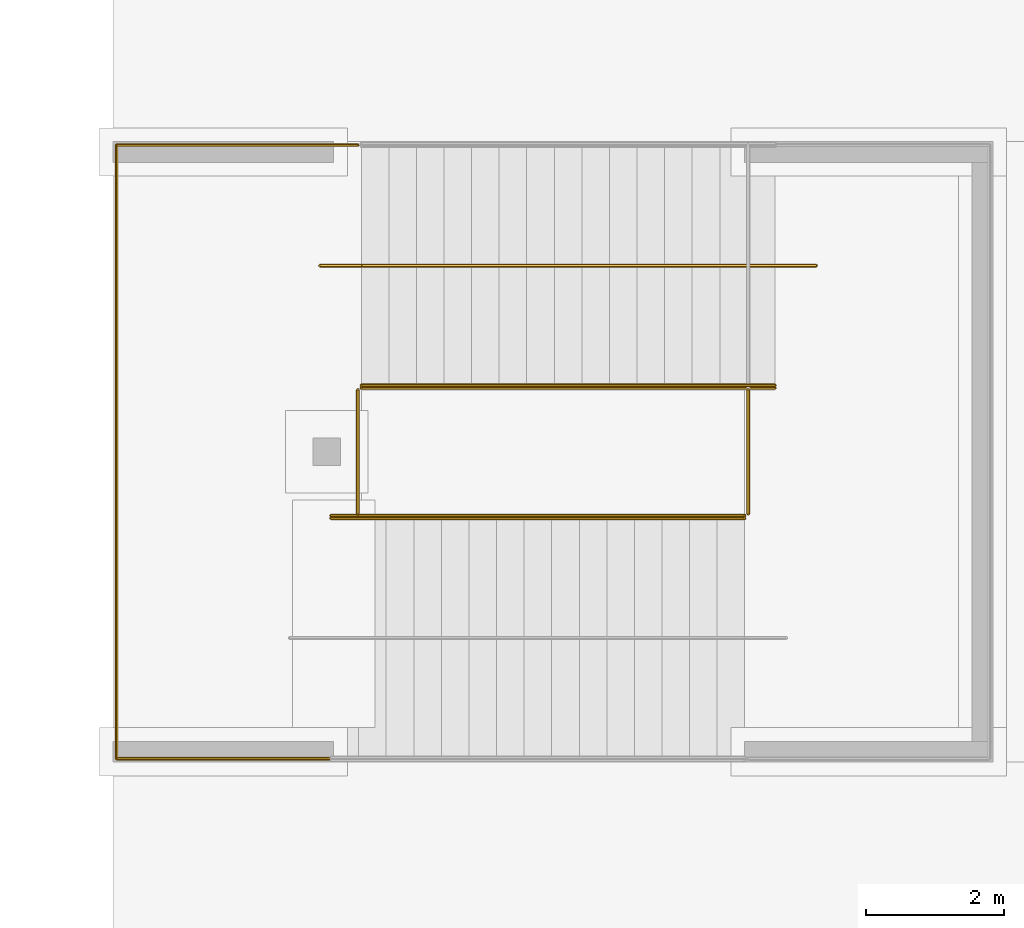
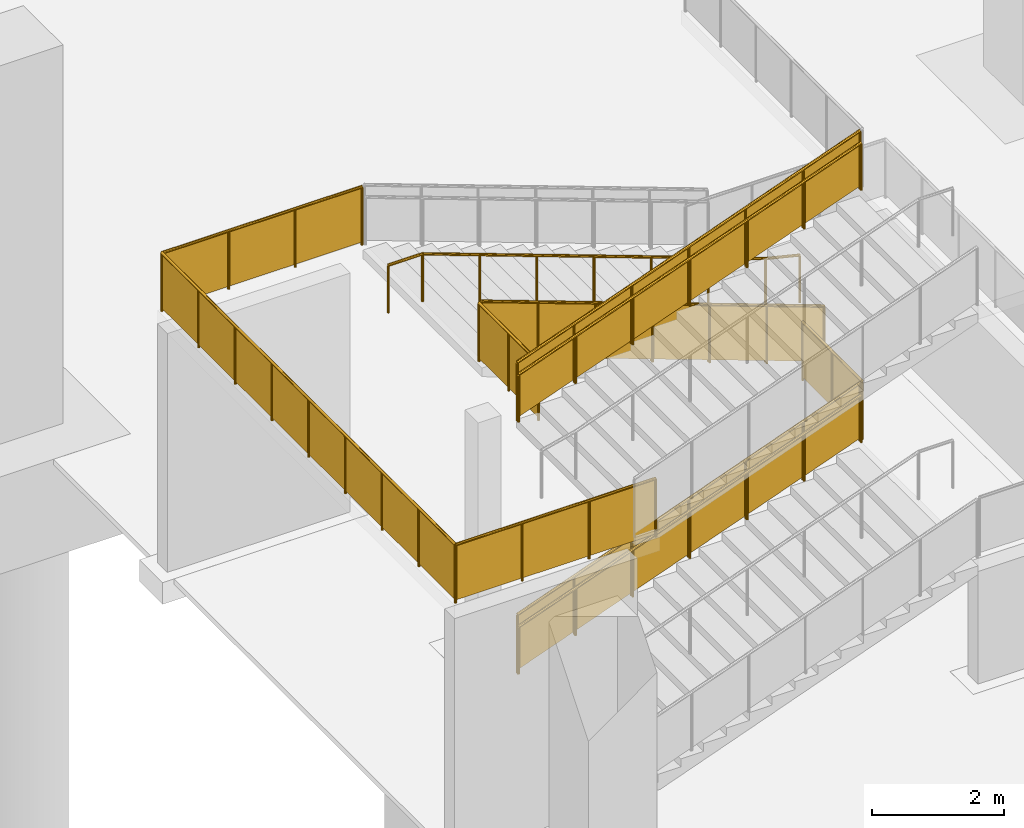
# One storey, part 54 of 92: 10 railings.
"""IFC4 building model written with IfcOpenShell, lengths in metres."""

from ifc_helpers import new_model, si_unit, direction, frame, origin, origin_2d, place, context, subcontext, project, spatial, polyline, circle, outline, extrude, material, type_object, element, save


model = new_model("IFC4")

# Units and contexts
model_context = context("Model", 3, precision=1e-05, world=origin(), true_north=direction((0.0, 1.0)))
body_context = subcontext(model_context, "Body", "Model", "MODEL_VIEW")
ifc_project = project(units=[si_unit("LENGTHUNIT", "METRE"), si_unit("AREAUNIT", "SQUARE_METRE"), si_unit("VOLUMEUNIT", "CUBIC_METRE"), si_unit("PLANEANGLEUNIT", "RADIAN"), si_unit("MASSUNIT", "GRAM", prefix="KILO")], contexts=[model_context])

# Site, building, storey
site_placement = place(None, origin())
site = spatial("IfcSite", under=ifc_project, at=site_placement, CompositionType="ELEMENT")
building_placement = place(site_placement, origin())
building = spatial("IfcBuilding", under=site, at=building_placement, Name="Silverbay Arena", CompositionType="ELEMENT")
storey_placement = place(building_placement, origin())
storey = spatial("IfcBuildingStorey", under=building, at=storey_placement, Name="L00", CompositionType="ELEMENT", Elevation=0.0)

# Railings
ifc_material_1 = material(Name="Stainless steel", Category="steel")
railing_type_1 = type_object("IfcRailingType", Name="Stair guard 1100", PredefinedType="GUARDRAIL", material=ifc_material_1)
railing_1_placement = place(storey_placement, frame((3.162109375, 44.074951171875, 0.145751953125)))
element("IfcRailing", 1, at=railing_1_placement, inside=storey, type_object=railing_type_1, Name="Deck stair DS1 flight 1 guard right", PredefinedType="GUARDRAIL", context=body_context, shape_type="SweptSolid", body=[
    extrude(circle(Radius=0.02392578125, at=origin_2d()), frame((0.0, 0.0, 1.076171875), z_axis=(0.939507356738, 0.0, 0.342528723811), x_axis=(0.0, 1.0, 0.0)), (0.0, 0.0, 1.0), 6.38623046875),
    extrude(outline(polyline([(-0.008056640625, 0.047119140625), (1.008056640625, 0.41748046875), (1.008056640625, 1.42041015625), (-0.008056640625, 1.050048828125), (-0.008056640625, 0.047119140625)])), frame((0.0, 0.0029296875, 0.0), z_axis=(0.0, -1.0, 0.0), x_axis=(1.0, 0.0, 0.0)), (0.0, 0.0, 1.0), 0.006103515625),
    extrude(outline(polyline([(-0.008056640625, 0.41162109375), (1.008056640625, 0.781982421875), (1.008056640625, 1.78515625), (-0.008056640625, 1.41455078125), (-0.008056640625, 0.41162109375)])), frame((1.0, 0.0029296875, 0.0), z_axis=(0.0, -1.0, 0.0), x_axis=(1.0, 0.0, 0.0)), (0.0, 0.0, 1.0), 0.006103515625),
    extrude(outline(polyline([(-0.008056640625, 0.7763671875), (1.008056640625, 1.146728515625), (1.008056640625, 2.149658203125), (-0.008056640625, 1.779296875), (-0.008056640625, 0.7763671875)])), frame((2.0, 0.0029296875, 0.0), z_axis=(0.0, -1.0, 0.0), x_axis=(1.0, 0.0, 0.0)), (0.0, 0.0, 1.0), 0.006103515625),
    extrude(outline(polyline([(-0.008056640625, 1.140869140625), (1.008056640625, 1.51123046875), (1.008056640625, 2.51416015625), (-0.008056640625, 2.143798828125), (-0.008056640625, 1.140869140625)])), frame((3.0, 0.0029296875, 0.0), z_axis=(0.0, -1.0, 0.0), x_axis=(1.0, 0.0, 0.0)), (0.0, 0.0, 1.0), 0.006103515625),
    extrude(outline(polyline([(-0.008056640625, 1.50537109375), (1.008056640625, 1.875732421875), (1.008056640625, 2.87890625), (-0.008056640625, 2.50830078125), (-0.008056640625, 1.50537109375)])), frame((4.0, 0.0029296875, 0.0), z_axis=(0.0, -1.0, 0.0), x_axis=(1.0, 0.0, 0.0)), (0.0, 0.0, 1.0), 0.006103515625),
    extrude(outline(polyline([(-0.008056640625, 1.8701171875), (1.008056640625, 2.240478515625), (1.008056640625, 3.243408203125), (-0.008056640625, 2.873046875), (-0.008056640625, 1.8701171875)])), frame((5.0, 0.0029296875, 0.0), z_axis=(0.0, -1.0, 0.0), x_axis=(1.0, 0.0, 0.0)), (0.0, 0.0, 1.0), 0.006103515625),
    extrude(circle(Radius=0.02099609375, at=origin_2d()), origin(), (0.0, 0.0, 1.0), 1.052001953125),
    extrude(circle(Radius=0.02099609375, at=origin_2d()), frame((1.0, 0.0, 0.364501953125)), (0.0, 0.0, 1.0), 1.052001953125),
    extrude(circle(Radius=0.02099609375, at=origin_2d()), frame((2.0, 0.0, 0.729248046875)), (0.0, 0.0, 1.0), 1.052001953125),
    extrude(circle(Radius=0.02099609375, at=origin_2d()), frame((3.0, 0.0, 1.09375)), (0.0, 0.0, 1.0), 1.052001953125),
    extrude(circle(Radius=0.02099609375, at=origin_2d()), frame((4.0, 0.0, 1.458251953125)), (0.0, 0.0, 1.0), 1.052001953125),
    extrude(circle(Radius=0.02099609375, at=origin_2d()), frame((5.0, 0.0, 1.822998046875)), (0.0, 0.0, 1.0), 1.052001953125),
    extrude(circle(Radius=0.02099609375, at=origin_2d()), frame((6.0, 0.0, 2.1875)), (0.0, 0.0, 1.0), 1.052001953125),
])
railing_2_placement = place(storey_placement, frame((9.60009765625, 45.925048828125, 2.479248046875)))
element("IfcRailing", 2, at=railing_2_placement, inside=storey, type_object=railing_type_1, Name="Deck stair DS1 flight 2 guard left", PredefinedType="GUARDRAIL", context=body_context, shape_type="SweptSolid", body=[
    extrude(circle(Radius=0.02392578125, at=origin_2d()), frame((0.0, 0.0, 1.076171875), z_axis=(-0.939507356738, 0.0, 0.342528723811), x_axis=(0.0, -1.0, 0.0)), (0.0, 0.0, 1.0), 6.38623046875),
    extrude(outline(polyline([(-0.008056640625, 0.047119140625), (1.008056640625, 0.41748046875), (1.008056640625, 1.42041015625), (-0.008056640625, 1.050048828125), (-0.008056640625, 0.047119140625)])), frame((0.0, -0.0029296875, 0.0), z_axis=(0.0, 1.0, 0.0), x_axis=(-1.0, 0.0, 0.0)), (0.0, 0.0, 1.0), 0.006103515625),
    extrude(outline(polyline([(-0.008056640625, 0.41162109375), (1.008056640625, 0.781982421875), (1.008056640625, 1.78515625), (-0.008056640625, 1.41455078125), (-0.008056640625, 0.41162109375)])), frame((-1.0, -0.0029296875, 0.0), z_axis=(0.0, 1.0, 0.0), x_axis=(-1.0, 0.0, 0.0)), (0.0, 0.0, 1.0), 0.006103515625),
    extrude(outline(polyline([(-0.008056640625, 0.7763671875), (1.008056640625, 1.146728515625), (1.008056640625, 2.149658203125), (-0.008056640625, 1.779296875), (-0.008056640625, 0.7763671875)])), frame((-2.0, -0.0029296875, 0.0), z_axis=(0.0, 1.0, 0.0), x_axis=(-1.0, 0.0, 0.0)), (0.0, 0.0, 1.0), 0.006103515625),
    extrude(outline(polyline([(-0.008056640625, 1.140869140625), (1.008056640625, 1.51123046875), (1.008056640625, 2.51416015625), (-0.008056640625, 2.143798828125), (-0.008056640625, 1.140869140625)])), frame((-3.0, -0.0029296875, 0.0), z_axis=(0.0, 1.0, 0.0), x_axis=(-1.0, 0.0, 0.0)), (0.0, 0.0, 1.0), 0.006103515625),
    extrude(outline(polyline([(-0.008056640625, 1.50537109375), (1.008056640625, 1.875732421875), (1.008056640625, 2.87890625), (-0.008056640625, 2.50830078125), (-0.008056640625, 1.50537109375)])), frame((-4.0, -0.0029296875, 0.0), z_axis=(0.0, 1.0, 0.0), x_axis=(-1.0, 0.0, 0.0)), (0.0, 0.0, 1.0), 0.006103515625),
    extrude(outline(polyline([(-0.008056640625, 1.8701171875), (1.008056640625, 2.240478515625), (1.008056640625, 3.243408203125), (-0.008056640625, 2.873046875), (-0.008056640625, 1.8701171875)])), frame((-5.0, -0.0029296875, 0.0), z_axis=(0.0, 1.0, 0.0), x_axis=(-1.0, 0.0, 0.0)), (0.0, 0.0, 1.0), 0.006103515625),
    extrude(circle(Radius=0.02099609375, at=origin_2d()), origin(), (0.0, 0.0, 1.0), 1.052001953125),
    extrude(circle(Radius=0.02099609375, at=origin_2d()), frame((-1.0, 0.0, 0.364501953125)), (0.0, 0.0, 1.0), 1.052001953125),
    extrude(circle(Radius=0.02099609375, at=origin_2d()), frame((-2.0, 0.0, 0.729248046875)), (0.0, 0.0, 1.0), 1.052001953125),
    extrude(circle(Radius=0.02099609375, at=origin_2d()), frame((-3.0, 0.0, 1.09375)), (0.0, 0.0, 1.0), 1.052001953125),
    extrude(circle(Radius=0.02099609375, at=origin_2d()), frame((-4.0, 0.0, 1.458251953125)), (0.0, 0.0, 1.0), 1.052001953125),
    extrude(circle(Radius=0.02099609375, at=origin_2d()), frame((-5.0, 0.0, 1.822998046875)), (0.0, 0.0, 1.0), 1.052001953125),
    extrude(circle(Radius=0.02099609375, at=origin_2d()), frame((-6.0, 0.0, 2.1875)), (0.0, 0.0, 1.0), 1.052001953125),
])
railing_3_placement = place(storey_placement, frame((3.162109375, 44.074951171875, 4.8125)))
element("IfcRailing", 3, at=railing_3_placement, inside=storey, type_object=railing_type_1, Name="Deck stair DS1 flight 3 guard right", PredefinedType="GUARDRAIL", context=body_context, shape_type="SweptSolid", body=[
    extrude(circle(Radius=0.02392578125, at=origin_2d()), frame((0.0, 0.0, 1.076171875), z_axis=(0.939507356738, 0.0, 0.342528723811), x_axis=(0.0, 1.0, 0.0)), (0.0, 0.0, 1.0), 6.38623046875),
    extrude(outline(polyline([(-0.008056640625, 0.047119140625), (1.008056640625, 0.41748046875), (1.008056640625, 1.42041015625), (-0.008056640625, 1.050048828125), (-0.008056640625, 0.047119140625)])), frame((0.0, 0.0029296875, 0.0), z_axis=(0.0, -1.0, 0.0), x_axis=(1.0, 0.0, 0.0)), (0.0, 0.0, 1.0), 0.006103515625),
    extrude(outline(polyline([(-0.008056640625, 0.41162109375), (1.008056640625, 0.781982421875), (1.008056640625, 1.78515625), (-0.008056640625, 1.41455078125), (-0.008056640625, 0.41162109375)])), frame((1.0, 0.0029296875, 0.0), z_axis=(0.0, -1.0, 0.0), x_axis=(1.0, 0.0, 0.0)), (0.0, 0.0, 1.0), 0.006103515625),
    extrude(outline(polyline([(-0.008056640625, 0.7763671875), (1.008056640625, 1.146728515625), (1.008056640625, 2.149658203125), (-0.008056640625, 1.779296875), (-0.008056640625, 0.7763671875)])), frame((2.0, 0.0029296875, 0.0), z_axis=(0.0, -1.0, 0.0), x_axis=(1.0, 0.0, 0.0)), (0.0, 0.0, 1.0), 0.006103515625),
    extrude(outline(polyline([(-0.008056640625, 1.140869140625), (1.008056640625, 1.51123046875), (1.008056640625, 2.51416015625), (-0.008056640625, 2.143798828125), (-0.008056640625, 1.140869140625)])), frame((3.0, 0.0029296875, 0.0), z_axis=(0.0, -1.0, 0.0), x_axis=(1.0, 0.0, 0.0)), (0.0, 0.0, 1.0), 0.006103515625),
    extrude(outline(polyline([(-0.008056640625, 1.50537109375), (1.008056640625, 1.875732421875), (1.008056640625, 2.87890625), (-0.008056640625, 2.50830078125), (-0.008056640625, 1.50537109375)])), frame((4.0, 0.0029296875, 0.0), z_axis=(0.0, -1.0, 0.0), x_axis=(1.0, 0.0, 0.0)), (0.0, 0.0, 1.0), 0.006103515625),
    extrude(outline(polyline([(-0.008056640625, 1.8701171875), (1.008056640625, 2.240478515625), (1.008056640625, 3.243408203125), (-0.008056640625, 2.873046875), (-0.008056640625, 1.8701171875)])), frame((5.0, 0.0029296875, 0.0), z_axis=(0.0, -1.0, 0.0), x_axis=(1.0, 0.0, 0.0)), (0.0, 0.0, 1.0), 0.006103515625),
    extrude(circle(Radius=0.02099609375, at=origin_2d()), origin(), (0.0, 0.0, 1.0), 1.052001953125),
    extrude(circle(Radius=0.02099609375, at=origin_2d()), frame((1.0, 0.0, 0.364501953125)), (0.0, 0.0, 1.0), 1.052001953125),
    extrude(circle(Radius=0.02099609375, at=origin_2d()), frame((2.0, 0.0, 0.729248046875)), (0.0, 0.0, 1.0), 1.052001953125),
    extrude(circle(Radius=0.02099609375, at=origin_2d()), frame((3.0, 0.0, 1.09375)), (0.0, 0.0, 1.0), 1.052001953125),
    extrude(circle(Radius=0.02099609375, at=origin_2d()), frame((4.0, 0.0, 1.458251953125)), (0.0, 0.0, 1.0), 1.052001953125),
    extrude(circle(Radius=0.02099609375, at=origin_2d()), frame((5.0, 0.0, 1.822998046875)), (0.0, 0.0, 1.0), 1.052001953125),
    extrude(circle(Radius=0.02099609375, at=origin_2d()), frame((6.0, 0.0, 2.1875)), (0.0, 0.0, 1.0), 1.052001953125),
])
railing_4_placement = place(storey_placement, frame((9.212158203125, 44.10009765625, 2.333251953125)))
element("IfcRailing", 4, at=railing_4_placement, inside=storey, type_object=railing_type_1, Name="Deck stair DS1 landing 1 guard", PredefinedType="GUARDRAIL", context=body_context, shape_type="SweptSolid", body=[
    extrude(circle(Radius=0.02392578125, at=origin_2d()), frame((0.0, 0.0, 1.076171875), z_axis=(0.0, 1.0, 0.0), x_axis=(-1.0, 0.0, 0.0)), (0.0, 0.0, 1.0), 1.7998046875),
    extrude(outline(polyline([(-0.008056640625, 0.050048828125), (0.907958984375, 0.050048828125), (0.907958984375, 1.052978515625), (-0.008056640625, 1.052978515625), (-0.008056640625, 0.050048828125)])), frame((-0.0029296875, 0.0, 0.0), z_axis=(1.0, 0.0, 0.0), x_axis=(0.0, 1.0, 0.0)), (0.0, 0.0, 1.0), 0.006103515625),
    extrude(outline(polyline([(-0.008056640625, 0.050048828125), (0.907958984375, 0.050048828125), (0.907958984375, 1.052978515625), (-0.008056640625, 1.052978515625), (-0.008056640625, 0.050048828125)])), frame((-0.0029296875, 0.89990234375, 0.0), z_axis=(1.0, 0.0, 0.0), x_axis=(0.0, 1.0, 0.0)), (0.0, 0.0, 1.0), 0.006103515625),
    extrude(circle(Radius=0.02099609375, at=origin_2d()), origin(), (0.0, 0.0, 1.0), 1.052001953125),
    extrude(circle(Radius=0.02099609375, at=origin_2d()), frame((0.0, 0.89990234375, 0.0)), (0.0, 0.0, 1.0), 1.052001953125),
    extrude(circle(Radius=0.02099609375, at=origin_2d()), frame((0.0, 1.7998046875, 0.0)), (0.0, 0.0, 1.0), 1.052001953125),
])
railing_5_placement = place(storey_placement, frame((3.550048828125, 40.550048828125, 4.666748046875)))
element("IfcRailing", 5, at=railing_5_placement, inside=storey, type_object=railing_type_1, Name="Deck stair DS1 landing 2 guard", PredefinedType="GUARDRAIL", context=body_context, shape_type="SweptSolid", body=[
    extrude(circle(Radius=0.02392578125, at=origin_2d()), frame((0.0, 0.0, 1.076171875), z_axis=(-1.0, 0.0, 0.0), x_axis=(0.0, -1.0, 0.0)), (0.0, 0.0, 1.0), 3.5),
    extrude(outline(polyline([(-0.008056640625, 0.050048828125), (1.174560546875, 0.050048828125), (1.174560546875, 1.052978515625), (-0.008056640625, 1.052978515625), (-0.008056640625, 0.050048828125)])), frame((0.0, -0.0029296875, 0.0), z_axis=(0.0, 1.0, 0.0), x_axis=(-1.0, 0.0, 0.0)), (0.0, 0.0, 1.0), 0.006103515625),
    extrude(outline(polyline([(-0.008056640625, 0.050048828125), (1.174560546875, 0.050048828125), (1.174560546875, 1.052978515625), (-0.008056640625, 1.052978515625), (-0.008056640625, 0.050048828125)])), frame((-1.166748046875, -0.0029296875, 0.0), z_axis=(0.0, 1.0, 0.0), x_axis=(-1.0, 0.0, 0.0)), (0.0, 0.0, 1.0), 0.006103515625),
    extrude(outline(polyline([(-0.008056640625, 0.050048828125), (1.174560546875, 0.050048828125), (1.174560546875, 1.052978515625), (-0.008056640625, 1.052978515625), (-0.008056640625, 0.050048828125)])), frame((-2.333251953125, -0.0029296875, 0.0), z_axis=(0.0, 1.0, 0.0), x_axis=(-1.0, 0.0, 0.0)), (0.0, 0.0, 1.0), 0.006103515625),
    extrude(circle(Radius=0.02392578125, at=origin_2d()), frame((-3.5, 0.0, 1.076171875), z_axis=(0.0, 1.0, 0.0), x_axis=(-1.0, 0.0, 0.0)), (0.0, 0.0, 1.0), 8.89990234375),
    extrude(outline(polyline([(-0.008056640625, 0.050048828125), (1.12060546875, 0.050048828125), (1.12060546875, 1.052978515625), (-0.008056640625, 1.052978515625), (-0.008056640625, 0.050048828125)])), frame((-3.5029296875, 0.0, 0.0), z_axis=(1.0, 0.0, 0.0), x_axis=(0.0, 1.0, 0.0)), (0.0, 0.0, 1.0), 0.006103515625),
    extrude(outline(polyline([(-0.008056640625, 0.050048828125), (1.12060546875, 0.050048828125), (1.12060546875, 1.052978515625), (-0.008056640625, 1.052978515625), (-0.008056640625, 0.050048828125)])), frame((-3.5029296875, 1.112548828125, 0.0), z_axis=(1.0, 0.0, 0.0), x_axis=(0.0, 1.0, 0.0)), (0.0, 0.0, 1.0), 0.006103515625),
    extrude(outline(polyline([(-0.008056640625, 0.050048828125), (1.12060546875, 0.050048828125), (1.12060546875, 1.052978515625), (-0.008056640625, 1.052978515625), (-0.008056640625, 0.050048828125)])), frame((-3.5029296875, 2.22509765625, 0.0), z_axis=(1.0, 0.0, 0.0), x_axis=(0.0, 1.0, 0.0)), (0.0, 0.0, 1.0), 0.006103515625),
    extrude(outline(polyline([(-0.008056640625, 0.050048828125), (1.12060546875, 0.050048828125), (1.12060546875, 1.052978515625), (-0.008056640625, 1.052978515625), (-0.008056640625, 0.050048828125)])), frame((-3.5029296875, 3.33740234375, 0.0), z_axis=(1.0, 0.0, 0.0), x_axis=(0.0, 1.0, 0.0)), (0.0, 0.0, 1.0), 0.006103515625),
    extrude(outline(polyline([(-0.008056640625, 0.050048828125), (1.12060546875, 0.050048828125), (1.12060546875, 1.052978515625), (-0.008056640625, 1.052978515625), (-0.008056640625, 0.050048828125)])), frame((-3.5029296875, 4.449951171875, 0.0), z_axis=(1.0, 0.0, 0.0), x_axis=(0.0, 1.0, 0.0)), (0.0, 0.0, 1.0), 0.006103515625),
    extrude(outline(polyline([(-0.008056640625, 0.050048828125), (1.12060546875, 0.050048828125), (1.12060546875, 1.052978515625), (-0.008056640625, 1.052978515625), (-0.008056640625, 0.050048828125)])), frame((-3.5029296875, 5.5625, 0.0), z_axis=(1.0, 0.0, 0.0), x_axis=(0.0, 1.0, 0.0)), (0.0, 0.0, 1.0), 0.006103515625),
    extrude(outline(polyline([(-0.008056640625, 0.050048828125), (1.12060546875, 0.050048828125), (1.12060546875, 1.052978515625), (-0.008056640625, 1.052978515625), (-0.008056640625, 0.050048828125)])), frame((-3.5029296875, 6.6748046875, 0.0), z_axis=(1.0, 0.0, 0.0), x_axis=(0.0, 1.0, 0.0)), (0.0, 0.0, 1.0), 0.006103515625),
    extrude(outline(polyline([(-0.008056640625, 0.050048828125), (1.12060546875, 0.050048828125), (1.12060546875, 1.052978515625), (-0.008056640625, 1.052978515625), (-0.008056640625, 0.050048828125)])), frame((-3.5029296875, 7.787353515625, 0.0), z_axis=(1.0, 0.0, 0.0), x_axis=(0.0, 1.0, 0.0)), (0.0, 0.0, 1.0), 0.006103515625),
    extrude(circle(Radius=0.02392578125, at=origin_2d()), frame((-3.5, 8.89990234375, 1.076171875), z_axis=(1.0, 0.0, 0.0), x_axis=(0.0, 1.0, 0.0)), (0.0, 0.0, 1.0), 3.5),
    extrude(outline(polyline([(-0.008056640625, 0.050048828125), (1.174560546875, 0.050048828125), (1.174560546875, 1.052978515625), (-0.008056640625, 1.052978515625), (-0.008056640625, 0.050048828125)])), frame((-3.5, 8.90283203125, 0.0), z_axis=(0.0, -1.0, 0.0), x_axis=(1.0, 0.0, 0.0)), (0.0, 0.0, 1.0), 0.006103515625),
    extrude(outline(polyline([(-0.008056640625, 0.050048828125), (1.174560546875, 0.050048828125), (1.174560546875, 1.052978515625), (-0.008056640625, 1.052978515625), (-0.008056640625, 0.050048828125)])), frame((-2.333251953125, 8.90283203125, 0.0), z_axis=(0.0, -1.0, 0.0), x_axis=(1.0, 0.0, 0.0)), (0.0, 0.0, 1.0), 0.006103515625),
    extrude(outline(polyline([(-0.008056640625, 0.050048828125), (1.174560546875, 0.050048828125), (1.174560546875, 1.052978515625), (-0.008056640625, 1.052978515625), (-0.008056640625, 0.050048828125)])), frame((-1.166748046875, 8.90283203125, 0.0), z_axis=(0.0, -1.0, 0.0), x_axis=(1.0, 0.0, 0.0)), (0.0, 0.0, 1.0), 0.006103515625),
    extrude(circle(Radius=0.02099609375, at=origin_2d()), origin(), (0.0, 0.0, 1.0), 1.052001953125),
    extrude(circle(Radius=0.02099609375, at=origin_2d()), frame((-1.166748046875, 0.0, 0.0)), (0.0, 0.0, 1.0), 1.052001953125),
    extrude(circle(Radius=0.02099609375, at=origin_2d()), frame((-2.333251953125, 0.0, 0.0)), (0.0, 0.0, 1.0), 1.052001953125),
    extrude(circle(Radius=0.02099609375, at=origin_2d()), frame((-3.5, 0.0, 0.0)), (0.0, 0.0, 1.0), 1.052001953125),
    extrude(circle(Radius=0.02099609375, at=origin_2d()), frame((-3.5, 1.112548828125, 0.0)), (0.0, 0.0, 1.0), 1.052001953125),
    extrude(circle(Radius=0.02099609375, at=origin_2d()), frame((-3.5, 2.22509765625, 0.0)), (0.0, 0.0, 1.0), 1.052001953125),
    extrude(circle(Radius=0.02099609375, at=origin_2d()), frame((-3.5, 3.33740234375, 0.0)), (0.0, 0.0, 1.0), 1.052001953125),
    extrude(circle(Radius=0.02099609375, at=origin_2d()), frame((-3.5, 4.449951171875, 0.0)), (0.0, 0.0, 1.0), 1.052001953125),
    extrude(circle(Radius=0.02099609375, at=origin_2d()), frame((-3.5, 5.5625, 0.0)), (0.0, 0.0, 1.0), 1.052001953125),
    extrude(circle(Radius=0.02099609375, at=origin_2d()), frame((-3.5, 6.6748046875, 0.0)), (0.0, 0.0, 1.0), 1.052001953125),
    extrude(circle(Radius=0.02099609375, at=origin_2d()), frame((-3.5, 7.787353515625, 0.0)), (0.0, 0.0, 1.0), 1.052001953125),
    extrude(circle(Radius=0.02099609375, at=origin_2d()), frame((-3.5, 8.89990234375, 0.0)), (0.0, 0.0, 1.0), 1.052001953125),
    extrude(circle(Radius=0.02099609375, at=origin_2d()), frame((-2.333251953125, 8.89990234375, 0.0)), (0.0, 0.0, 1.0), 1.052001953125),
    extrude(circle(Radius=0.02099609375, at=origin_2d()), frame((-1.166748046875, 8.89990234375, 0.0)), (0.0, 0.0, 1.0), 1.052001953125),
    extrude(circle(Radius=0.02099609375, at=origin_2d()), frame((0.0, 8.89990234375, 0.0)), (0.0, 0.0, 1.0), 1.052001953125),
])
railing_6_placement = place(storey_placement, frame((3.550048828125, 44.10009765625, 4.666748046875)))
element("IfcRailing", 6, at=railing_6_placement, inside=storey, type_object=railing_type_1, Name="Deck stair DS1 landing 2 guard", PredefinedType="GUARDRAIL", context=body_context, shape_type="SweptSolid", body=[
    extrude(circle(Radius=0.02392578125, at=origin_2d()), frame((0.0, 0.0, 1.076171875), z_axis=(0.0, 1.0, 0.0), x_axis=(-1.0, 0.0, 0.0)), (0.0, 0.0, 1.0), 1.7998046875),
    extrude(outline(polyline([(-0.008056640625, 0.050048828125), (0.907958984375, 0.050048828125), (0.907958984375, 1.052978515625), (-0.008056640625, 1.052978515625), (-0.008056640625, 0.050048828125)])), frame((-0.0029296875, 0.0, 0.0), z_axis=(1.0, 0.0, 0.0), x_axis=(0.0, 1.0, 0.0)), (0.0, 0.0, 1.0), 0.006103515625),
    extrude(outline(polyline([(-0.008056640625, 0.050048828125), (0.907958984375, 0.050048828125), (0.907958984375, 1.052978515625), (-0.008056640625, 1.052978515625), (-0.008056640625, 0.050048828125)])), frame((-0.0029296875, 0.89990234375, 0.0), z_axis=(1.0, 0.0, 0.0), x_axis=(0.0, 1.0, 0.0)), (0.0, 0.0, 1.0), 0.006103515625),
    extrude(circle(Radius=0.02099609375, at=origin_2d()), origin(), (0.0, 0.0, 1.0), 1.052001953125),
    extrude(circle(Radius=0.02099609375, at=origin_2d()), frame((0.0, 0.89990234375, 0.0)), (0.0, 0.0, 1.0), 1.052001953125),
    extrude(circle(Radius=0.02099609375, at=origin_2d()), frame((0.0, 1.7998046875, 0.0)), (0.0, 0.0, 1.0), 1.052001953125),
])
ifc_material_2 = material(Name="Stainless steel", Category="steel")
railing_type_2 = type_object("IfcRailingType", Name="Stair handrail 900", PredefinedType="HANDRAIL", material=ifc_material_2)
railing_7_placement = place(storey_placement, frame((3.162109375, 44.035888671875, 0.145751953125)))
element("IfcRailing", 7, at=railing_7_placement, inside=storey, type_object=railing_type_2, Name="Deck stair DS1 flight 1 handrail right", PredefinedType="HANDRAIL", context=body_context, shape_type="SweptSolid", body=[
    extrude(circle(Radius=0.02392578125, at=origin_2d()), frame((0.0, 0.0, 0.8759765625), z_axis=(0.939507356738, 0.0, 0.342528723811), x_axis=(0.0, 1.0, 0.0)), (0.0, 0.0, 1.0), 6.38623046875),
    extrude(circle(Radius=0.02099609375, at=origin_2d()), origin(), (0.0, 0.0, 1.0), 0.851806640625),
    extrude(circle(Radius=0.02099609375, at=origin_2d()), frame((1.0, 0.0, 0.364501953125)), (0.0, 0.0, 1.0), 0.851806640625),
    extrude(circle(Radius=0.02099609375, at=origin_2d()), frame((2.0, 0.0, 0.729248046875)), (0.0, 0.0, 1.0), 0.851806640625),
    extrude(circle(Radius=0.02099609375, at=origin_2d()), frame((3.0, 0.0, 1.09375)), (0.0, 0.0, 1.0), 0.851806640625),
    extrude(circle(Radius=0.02099609375, at=origin_2d()), frame((4.0, 0.0, 1.458251953125)), (0.0, 0.0, 1.0), 0.851806640625),
    extrude(circle(Radius=0.02099609375, at=origin_2d()), frame((5.0, 0.0, 1.822998046875)), (0.0, 0.0, 1.0), 0.851806640625),
    extrude(circle(Radius=0.02099609375, at=origin_2d()), frame((6.0, 0.0, 2.1875)), (0.0, 0.0, 1.0), 0.851806640625),
])
railing_8_placement = place(storey_placement, frame((9.60009765625, 45.964111328125, 2.479248046875)))
element("IfcRailing", 8, at=railing_8_placement, inside=storey, type_object=railing_type_2, Name="Deck stair DS1 flight 2 handrail left", PredefinedType="HANDRAIL", context=body_context, shape_type="SweptSolid", body=[
    extrude(circle(Radius=0.02392578125, at=origin_2d()), frame((0.0, 0.0, 0.8759765625), z_axis=(-0.939507356738, 0.0, 0.342528723811), x_axis=(0.0, -1.0, 0.0)), (0.0, 0.0, 1.0), 6.38623046875),
    extrude(circle(Radius=0.02099609375, at=origin_2d()), origin(), (0.0, 0.0, 1.0), 0.851806640625),
    extrude(circle(Radius=0.02099609375, at=origin_2d()), frame((-1.0, 0.0, 0.364501953125)), (0.0, 0.0, 1.0), 0.851806640625),
    extrude(circle(Radius=0.02099609375, at=origin_2d()), frame((-2.0, 0.0, 0.729248046875)), (0.0, 0.0, 1.0), 0.851806640625),
    extrude(circle(Radius=0.02099609375, at=origin_2d()), frame((-3.0, 0.0, 1.09375)), (0.0, 0.0, 1.0), 0.851806640625),
    extrude(circle(Radius=0.02099609375, at=origin_2d()), frame((-4.0, 0.0, 1.458251953125)), (0.0, 0.0, 1.0), 0.851806640625),
    extrude(circle(Radius=0.02099609375, at=origin_2d()), frame((-5.0, 0.0, 1.822998046875)), (0.0, 0.0, 1.0), 0.851806640625),
    extrude(circle(Radius=0.02099609375, at=origin_2d()), frame((-6.0, 0.0, 2.1875)), (0.0, 0.0, 1.0), 0.851806640625),
])
railing_9_placement = place(storey_placement, frame((10.199951171875, 47.699951171875, 2.333251953125)))
element("IfcRailing", 9, at=railing_9_placement, inside=storey, type_object=railing_type_2, Name="Deck stair DS1 flight 2 central handrail", PredefinedType="HANDRAIL", context=body_context, shape_type="SweptSolid", body=[
    extrude(circle(Radius=0.02392578125, at=origin_2d()), frame((0.0, 0.0, 0.8759765625), z_axis=(-0.971635685089, 0.0, 0.236482759334), x_axis=(0.0, -1.0, 0.0)), (0.0, 0.0, 1.0), 0.617431640625),
    extrude(circle(Radius=0.02392578125, at=origin_2d()), frame((-0.599853515625, 0.0, 1.02197265625), z_axis=(-0.939507356738, 0.0, 0.342528723811), x_axis=(0.0, -1.0, 0.0)), (0.0, 0.0, 1.0), 6.38623046875),
    extrude(circle(Radius=0.02392578125, at=origin_2d()), frame((-6.599853515625, 0.0, 3.20947265625), z_axis=(-1.0, 0.0, 0.0), x_axis=(0.0, -1.0, 0.0)), (0.0, 0.0, 1.0), 0.60009765625),
    extrude(circle(Radius=0.02099609375, at=origin_2d()), origin(), (0.0, 0.0, 1.0), 0.851806640625),
    extrude(circle(Radius=0.02099609375, at=origin_2d()), frame((-0.599853515625, 0.0, 0.14599609375)), (0.0, 0.0, 1.0), 0.851806640625),
    extrude(circle(Radius=0.02099609375, at=origin_2d()), frame((-1.599853515625, 0.0, 0.510498046875)), (0.0, 0.0, 1.0), 0.851806640625),
    extrude(circle(Radius=0.02099609375, at=origin_2d()), frame((-2.599853515625, 0.0, 0.875244140625)), (0.0, 0.0, 1.0), 0.851806640625),
    extrude(circle(Radius=0.02099609375, at=origin_2d()), frame((-3.599853515625, 0.0, 1.23974609375)), (0.0, 0.0, 1.0), 0.851806640625),
    extrude(circle(Radius=0.02099609375, at=origin_2d()), frame((-4.599853515625, 0.0, 1.604248046875)), (0.0, 0.0, 1.0), 0.851806640625),
    extrude(circle(Radius=0.02099609375, at=origin_2d()), frame((-5.599853515625, 0.0, 1.968994140625)), (0.0, 0.0, 1.0), 0.851806640625),
    extrude(circle(Radius=0.02099609375, at=origin_2d()), frame((-6.599853515625, 0.0, 2.33349609375)), (0.0, 0.0, 1.0), 0.851806640625),
    extrude(circle(Radius=0.02099609375, at=origin_2d()), frame((-7.199951171875, 0.0, 2.33349609375)), (0.0, 0.0, 1.0), 0.851806640625),
])
railing_10_placement = place(storey_placement, frame((3.162109375, 44.035888671875, 4.8125)))
element("IfcRailing", 10, at=railing_10_placement, inside=storey, type_object=railing_type_2, Name="Deck stair DS1 flight 3 handrail right", PredefinedType="HANDRAIL", context=body_context, shape_type="SweptSolid", body=[
    extrude(circle(Radius=0.02392578125, at=origin_2d()), frame((0.0, 0.0, 0.8759765625), z_axis=(0.939507356738, 0.0, 0.342528723811), x_axis=(0.0, 1.0, 0.0)), (0.0, 0.0, 1.0), 6.38623046875),
    extrude(circle(Radius=0.02099609375, at=origin_2d()), origin(), (0.0, 0.0, 1.0), 0.851806640625),
    extrude(circle(Radius=0.02099609375, at=origin_2d()), frame((1.0, 0.0, 0.364501953125)), (0.0, 0.0, 1.0), 0.851806640625),
    extrude(circle(Radius=0.02099609375, at=origin_2d()), frame((2.0, 0.0, 0.729248046875)), (0.0, 0.0, 1.0), 0.851806640625),
    extrude(circle(Radius=0.02099609375, at=origin_2d()), frame((3.0, 0.0, 1.09375)), (0.0, 0.0, 1.0), 0.851806640625),
    extrude(circle(Radius=0.02099609375, at=origin_2d()), frame((4.0, 0.0, 1.458251953125)), (0.0, 0.0, 1.0), 0.851806640625),
    extrude(circle(Radius=0.02099609375, at=origin_2d()), frame((5.0, 0.0, 1.822998046875)), (0.0, 0.0, 1.0), 0.851806640625),
    extrude(circle(Radius=0.02099609375, at=origin_2d()), frame((6.0, 0.0, 2.1875)), (0.0, 0.0, 1.0), 0.851806640625),
])

save(model, "model.ifc")
